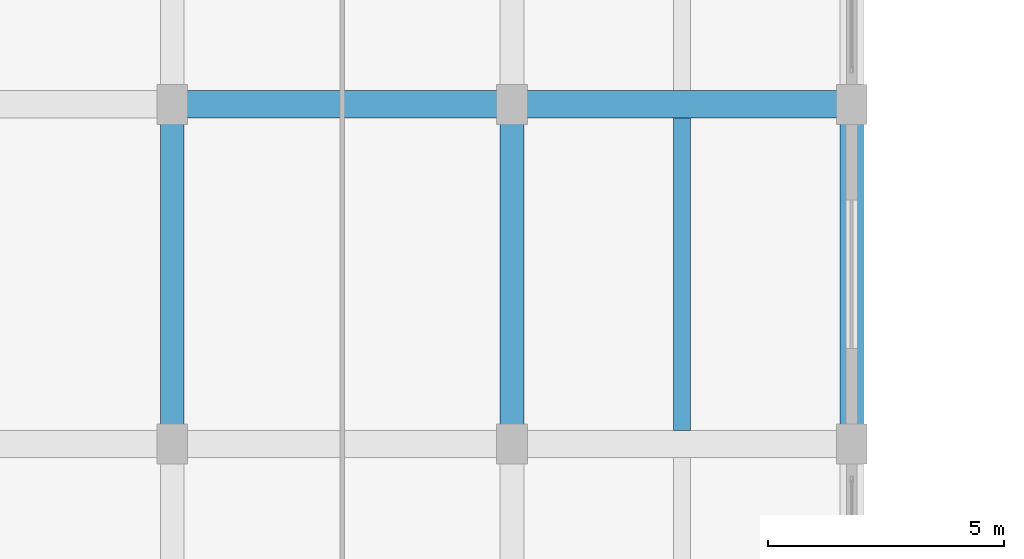
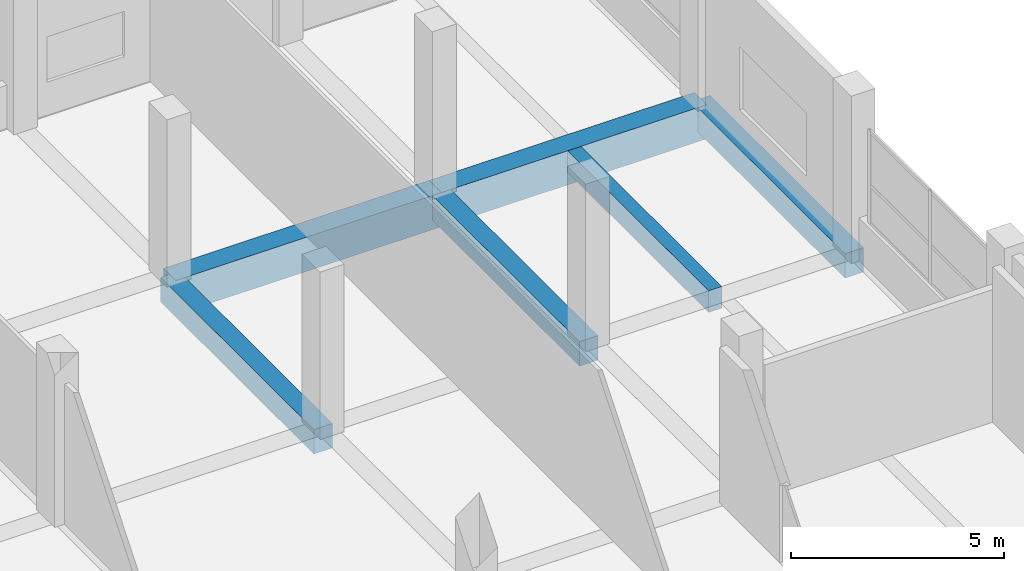
# One storey, part 105 of 140: 6 beams.
"""IFC4 building model written with IfcOpenShell, lengths in metres."""

from ifc_helpers import new_model, si_unit, direction, frame, origin, origin_2d, place, context, subcontext, project, spatial, rectangle, extrude, material, material_profile, profile_set, type_object, element, save


model = new_model("IFC4")

# Units and contexts
model_context = context("Model", 3, precision=1e-05, world=origin(), true_north=direction((0.0, 1.0)))
body_context = subcontext(model_context, "Body", "Model", "MODEL_VIEW")
ifc_project = project(units=[si_unit("LENGTHUNIT", "METRE"), si_unit("AREAUNIT", "SQUARE_METRE"), si_unit("VOLUMEUNIT", "CUBIC_METRE"), si_unit("PLANEANGLEUNIT", "RADIAN"), si_unit("MASSUNIT", "GRAM", prefix="KILO")], contexts=[model_context])

# Site, building, storey
site_placement = place(None, origin())
site = spatial("IfcSite", under=ifc_project, at=site_placement, CompositionType="ELEMENT")
building_placement = place(site_placement, origin())
building = spatial("IfcBuilding", under=site, at=building_placement, Name="Seraya Terrace Polytechnic", CompositionType="ELEMENT")
storey_placement = place(building_placement, frame((0.0, 0.0, 9.60009765625)))
storey = spatial("IfcBuildingStorey", under=building, at=storey_placement, Name="L02", CompositionType="ELEMENT", Elevation=9.60009765625)

# Beams
ifc_material = material(Name="Concrete C40/50", Category="concrete")
ifc_material_profile_1 = material_profile(ifc_material, rectangle(XDim=0.580078125, YDim=0.97998046875, at=origin_2d()), Name="RC 580x980")
ifc_profile_set_1 = profile_set([ifc_material_profile_1], Name="Concrete C40/50")
beam_type_1 = type_object("IfcBeamType", Name="BM-02", PredefinedType="BEAM", material=ifc_profile_set_1)
for number, where, z_axis, x_axis, name in (
    (1, (144.0, 108.0, -0.489990234375), (1.0, 0.0, 0.0), (0.0, 1.0, 0.0), "Beam BM-02 L02 X (144.0..151.2, 108.0)"),
    (2, (151.199951171875, 108.0, -0.489990234375), (1.0, 0.0, 0.0), (0.0, 1.0, 0.0), "Beam BM-02 L02 X (151.2..158.4, 108.0)"),
):
    element("IfcBeam", number, at=place(storey_placement, frame(where, z_axis=z_axis, x_axis=x_axis)), inside=storey, type_object=beam_type_1, Name=name, PredefinedType="BEAM", context=body_context, shape_type="SweptSolid", body=[
        extrude(rectangle(XDim=0.580078125, YDim=0.97998046875, at=origin_2d()), origin(), (0.0, 0.0, 1.0), 7.199951171875),
    ])
ifc_material_profile_2 = material_profile(ifc_material, rectangle(XDim=0.5, YDim=0.699951171875, at=origin_2d()), Name="RC 500x700")
ifc_profile_set_2 = profile_set([ifc_material_profile_2], Name="Concrete C40/50")
beam_type_2 = type_object("IfcBeamType", Name="BM-07", PredefinedType="BEAM", material=ifc_profile_set_2)
for number, where, z_axis, x_axis, name in (
    (3, (144.0, 100.800048828125, -0.35009765625), (0.0, 1.0, 0.0), (-1.0, 0.0, 0.0), "Beam BM-07 L02 Y (144.0, 100.8..108.0)"),
    (4, (151.199951171875, 100.800048828125, -0.35009765625), (0.0, 1.0, 0.0), (-1.0, 0.0, 0.0), "Beam BM-07 L02 Y (151.2, 100.8..108.0)"),
    (5, (158.39990234375, 100.800048828125, -0.35009765625), (0.0, 1.0, 0.0), (-1.0, 0.0, 0.0), "Beam BM-07 L02 Y (158.4, 100.8..108.0)"),
):
    element("IfcBeam", number, at=place(storey_placement, frame(where, z_axis=z_axis, x_axis=x_axis)), inside=storey, type_object=beam_type_2, Name=name, PredefinedType="BEAM", context=body_context, shape_type="SweptSolid", body=[
        extrude(rectangle(XDim=0.5, YDim=0.699951171875, at=origin_2d()), origin(), (0.0, 0.0, 1.0), 7.199951171875),
    ])
ifc_material_profile_3 = material_profile(ifc_material, rectangle(XDim=0.360107421875, YDim=0.6201171875, at=origin_2d()), Name="RC 360x620")
ifc_profile_set_3 = profile_set([ifc_material_profile_3], Name="Concrete C40/50")
beam_type_3 = type_object("IfcBeamType", Name="JS-01", PredefinedType="JOIST", material=ifc_profile_set_3)
beam_placement = place(storey_placement, frame((154.800048828125, 101.090087890625, -0.31005859375), z_axis=(0.0, 1.0, 0.0), x_axis=(-1.0, 0.0, 0.0)))
element("IfcBeam", 6, at=beam_placement, inside=storey, type_object=beam_type_3, Name="Secondary joist JS-01 L02", PredefinedType="JOIST", context=body_context, shape_type="SweptSolid", body=[
    extrude(rectangle(XDim=0.360107421875, YDim=0.6201171875, at=origin_2d()), origin(), (0.0, 0.0, 1.0), 6.619873046875),
])

save(model, "model.ifc")
